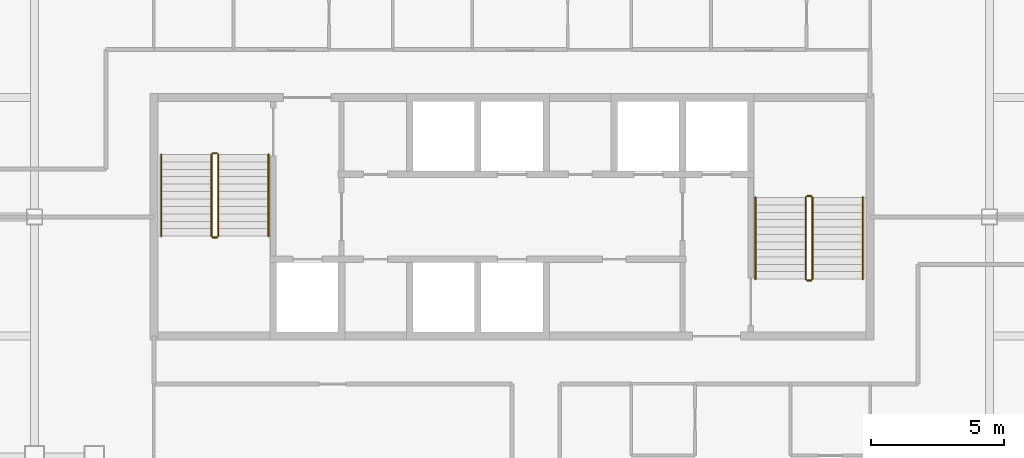
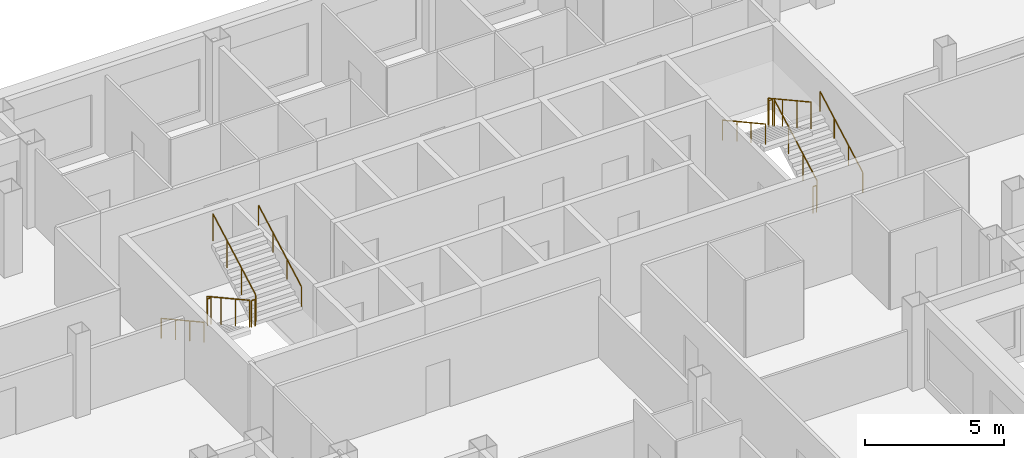
# One storey, part 13 of 13: 12 railings.
"""IFC4 building model written with IfcOpenShell, lengths in metres."""

from ifc_helpers import new_model, si_unit, direction, frame, origin, origin_2d, place, context, subcontext, project, spatial, circle, extrude, material, type_object, element, save


model = new_model("IFC4")

# Units and contexts
model_context = context("Model", 3, precision=1e-05, world=origin(), true_north=direction((0.0, 1.0)))
body_context = subcontext(model_context, "Body", "Model", "MODEL_VIEW")
ifc_project = project(units=[si_unit("LENGTHUNIT", "METRE"), si_unit("AREAUNIT", "SQUARE_METRE"), si_unit("VOLUMEUNIT", "CUBIC_METRE"), si_unit("PLANEANGLEUNIT", "RADIAN"), si_unit("MASSUNIT", "GRAM", prefix="KILO")], contexts=[model_context])

# Site, building, storey
site_placement = place(None, origin())
site = spatial("IfcSite", under=ifc_project, at=site_placement, CompositionType="ELEMENT")
building_placement = place(site_placement, origin())
building = spatial("IfcBuilding", under=site, at=building_placement, Name="Caravel Reach Hotel and Residences", CompositionType="ELEMENT")
storey_placement = place(building_placement, frame((0.0, 0.0, 169.10009765625)))
storey = spatial("IfcBuildingStorey", under=building, at=storey_placement, Name="L42", CompositionType="ELEMENT", Elevation=169.10009765625)

# Railings
ifc_material_1 = material(Name="Steel balustrade with glass infill", Category="steel")
railing_type_1 = type_object("IfcRailingType", Name="Guard 1200", PredefinedType="GUARDRAIL", material=ifc_material_1)
railing_1_placement = place(storey_placement, frame((20.175048828125, 29.35009765625, 0.154052734375)))
element("IfcRailing", 1, at=railing_1_placement, inside=storey, type_object=railing_type_1, Name="L42 ST-A stair guard 1", PredefinedType="GUARDRAIL", context=body_context, shape_type="SweptSolid", body=[
    extrude(circle(Radius=0.02392578125, at=origin_2d()), frame((0.0, 0.0, 1.17578125), z_axis=(0.0, -0.876004717809, 0.482302534076), x_axis=(1.0, 0.0, 0.0)), (0.0, 0.0, 1.0), 3.51611328125),
    extrude(circle(Radius=0.02099609375, at=origin_2d()), origin(), (0.0, 0.0, 1.0), 1.15185546875),
    extrude(circle(Radius=0.02099609375, at=origin_2d()), frame((0.0, -1.026611328125, 0.565185546875)), (0.0, 0.0, 1.0), 1.15185546875),
    extrude(circle(Radius=0.02099609375, at=origin_2d()), frame((0.0, -2.053466796875, 1.130615234375)), (0.0, 0.0, 1.0), 1.15185546875),
    extrude(circle(Radius=0.02099609375, at=origin_2d()), frame((0.0, -3.080078125, 1.69580078125)), (0.0, 0.0, 1.0), 1.15185546875),
])
railing_2_placement = place(storey_placement, frame((20.22509765625, 26.219970703125, 1.849853515625)))
element("IfcRailing", 2, at=railing_2_placement, inside=storey, type_object=railing_type_1, Name="L42 ST-A stair guard 2", PredefinedType="GUARDRAIL", context=body_context, shape_type="SweptSolid", body=[
    extrude(circle(Radius=0.02392578125, at=origin_2d()), frame((0.0, 0.0, 1.17578125), z_axis=(1.0, 0.0, 0.0), x_axis=(0.0, 1.0, 0.0)), (0.0, 0.0, 1.0), 0.14990234375),
    extrude(circle(Radius=0.02099609375, at=origin_2d()), origin(), (0.0, 0.0, 1.0), 1.15185546875),
    extrude(circle(Radius=0.02099609375, at=origin_2d()), frame((0.14990234375, 0.0, 0.0)), (0.0, 0.0, 1.0), 1.15185546875),
])
railing_3_placement = place(storey_placement, frame((20.425048828125, 26.27001953125, 2.004150390625)))
element("IfcRailing", 3, at=railing_3_placement, inside=storey, type_object=railing_type_1, Name="L42 ST-A stair guard 3", PredefinedType="GUARDRAIL", context=body_context, shape_type="SweptSolid", body=[
    extrude(circle(Radius=0.02392578125, at=origin_2d()), frame((0.0, 0.0, 1.17578125), z_axis=(0.0, 0.876004717809, 0.482302534076), x_axis=(-1.0, 0.0, 0.0)), (0.0, 0.0, 1.0), 3.51611328125),
    extrude(circle(Radius=0.02099609375, at=origin_2d()), origin(), (0.0, 0.0, 1.0), 1.15185546875),
    extrude(circle(Radius=0.02099609375, at=origin_2d()), frame((0.0, 1.026611328125, 0.565185546875)), (0.0, 0.0, 1.0), 1.15185546875),
    extrude(circle(Radius=0.02099609375, at=origin_2d()), frame((0.0, 2.053466796875, 1.130615234375)), (0.0, 0.0, 1.0), 1.15185546875),
    extrude(circle(Radius=0.02099609375, at=origin_2d()), frame((0.0, 3.080078125, 1.69580078125)), (0.0, 0.0, 1.0), 1.15185546875),
])
railing_4_placement = place(storey_placement, frame((20.22509765625, 29.39990234375, 0.0)))
element("IfcRailing", 4, at=railing_4_placement, inside=storey, type_object=railing_type_1, Name="L42 ST-A stair guard 4", PredefinedType="GUARDRAIL", context=body_context, shape_type="SweptSolid", body=[
    extrude(circle(Radius=0.02392578125, at=origin_2d()), frame((0.0, 0.0, 1.17578125), z_axis=(1.0, 0.0, 0.0), x_axis=(0.0, 1.0, 0.0)), (0.0, 0.0, 1.0), 0.14990234375),
    extrude(circle(Radius=0.02099609375, at=origin_2d()), origin(), (0.0, 0.0, 1.0), 1.15185546875),
    extrude(circle(Radius=0.02099609375, at=origin_2d()), frame((0.14990234375, 0.0, 0.0)), (0.0, 0.0, 1.0), 1.15185546875),
])
railing_5_placement = place(storey_placement, frame((42.824951171875, 24.64990234375, 0.154052734375)))
element("IfcRailing", 5, at=railing_5_placement, inside=storey, type_object=railing_type_1, Name="L42 ST-B stair guard 1", PredefinedType="GUARDRAIL", context=body_context, shape_type="SweptSolid", body=[
    extrude(circle(Radius=0.02392578125, at=origin_2d()), frame((0.0, 0.0, 1.17578125), z_axis=(0.0, 0.876004717809, 0.482302534076), x_axis=(-1.0, 0.0, 0.0)), (0.0, 0.0, 1.0), 3.51611328125),
    extrude(circle(Radius=0.02099609375, at=origin_2d()), origin(), (0.0, 0.0, 1.0), 1.15185546875),
    extrude(circle(Radius=0.02099609375, at=origin_2d()), frame((0.0, 1.026611328125, 0.565185546875)), (0.0, 0.0, 1.0), 1.15185546875),
    extrude(circle(Radius=0.02099609375, at=origin_2d()), frame((0.0, 2.053466796875, 1.130615234375)), (0.0, 0.0, 1.0), 1.15185546875),
    extrude(circle(Radius=0.02099609375, at=origin_2d()), frame((0.0, 3.080078125, 1.69580078125)), (0.0, 0.0, 1.0), 1.15185546875),
])
railing_6_placement = place(storey_placement, frame((42.77490234375, 27.780029296875, 1.849853515625)))
element("IfcRailing", 6, at=railing_6_placement, inside=storey, type_object=railing_type_1, Name="L42 ST-B stair guard 2", PredefinedType="GUARDRAIL", context=body_context, shape_type="SweptSolid", body=[
    extrude(circle(Radius=0.02392578125, at=origin_2d()), frame((0.0, 0.0, 1.17578125), z_axis=(-1.0, 0.0, 0.0), x_axis=(0.0, -1.0, 0.0)), (0.0, 0.0, 1.0), 0.14990234375),
    extrude(circle(Radius=0.02099609375, at=origin_2d()), origin(), (0.0, 0.0, 1.0), 1.15185546875),
    extrude(circle(Radius=0.02099609375, at=origin_2d()), frame((-0.14990234375, 0.0, 0.0)), (0.0, 0.0, 1.0), 1.15185546875),
])
railing_7_placement = place(storey_placement, frame((42.574951171875, 27.72998046875, 2.004150390625)))
element("IfcRailing", 7, at=railing_7_placement, inside=storey, type_object=railing_type_1, Name="L42 ST-B stair guard 3", PredefinedType="GUARDRAIL", context=body_context, shape_type="SweptSolid", body=[
    extrude(circle(Radius=0.02392578125, at=origin_2d()), frame((0.0, 0.0, 1.17578125), z_axis=(0.0, -0.876004717809, 0.482302534076), x_axis=(1.0, 0.0, 0.0)), (0.0, 0.0, 1.0), 3.51611328125),
    extrude(circle(Radius=0.02099609375, at=origin_2d()), origin(), (0.0, 0.0, 1.0), 1.15185546875),
    extrude(circle(Radius=0.02099609375, at=origin_2d()), frame((0.0, -1.026611328125, 0.565185546875)), (0.0, 0.0, 1.0), 1.15185546875),
    extrude(circle(Radius=0.02099609375, at=origin_2d()), frame((0.0, -2.053466796875, 1.130615234375)), (0.0, 0.0, 1.0), 1.15185546875),
    extrude(circle(Radius=0.02099609375, at=origin_2d()), frame((0.0, -3.080078125, 1.69580078125)), (0.0, 0.0, 1.0), 1.15185546875),
])
railing_8_placement = place(storey_placement, frame((42.77490234375, 24.60009765625, 0.0)))
element("IfcRailing", 8, at=railing_8_placement, inside=storey, type_object=railing_type_1, Name="L42 ST-B stair guard 4", PredefinedType="GUARDRAIL", context=body_context, shape_type="SweptSolid", body=[
    extrude(circle(Radius=0.02392578125, at=origin_2d()), frame((0.0, 0.0, 1.17578125), z_axis=(-1.0, 0.0, 0.0), x_axis=(0.0, -1.0, 0.0)), (0.0, 0.0, 1.0), 0.14990234375),
    extrude(circle(Radius=0.02099609375, at=origin_2d()), origin(), (0.0, 0.0, 1.0), 1.15185546875),
    extrude(circle(Radius=0.02099609375, at=origin_2d()), frame((-0.14990234375, 0.0, 0.0)), (0.0, 0.0, 1.0), 1.15185546875),
])
ifc_material_2 = material(Name="Stainless steel handrail", Category="steel")
railing_type_2 = type_object("IfcRailingType", Name="Handrail 900", PredefinedType="HANDRAIL", material=ifc_material_2)
railing_9_placement = place(storey_placement, frame((18.27490234375, 29.35009765625, 0.154052734375)))
element("IfcRailing", 9, at=railing_9_placement, inside=storey, type_object=railing_type_2, Name="L42 ST-A stair handrail 1", PredefinedType="HANDRAIL", context=body_context, shape_type="SweptSolid", body=[
    extrude(circle(Radius=0.02392578125, at=origin_2d()), frame((0.0, 0.0, 0.8759765625), z_axis=(0.0, -0.876004717809, 0.482302534076), x_axis=(1.0, 0.0, 0.0)), (0.0, 0.0, 1.0), 3.51611328125),
    extrude(circle(Radius=0.02099609375, at=origin_2d()), origin(), (0.0, 0.0, 1.0), 0.851806640625),
    extrude(circle(Radius=0.02099609375, at=origin_2d()), frame((0.0, -1.026611328125, 0.565185546875)), (0.0, 0.0, 1.0), 0.851806640625),
    extrude(circle(Radius=0.02099609375, at=origin_2d()), frame((0.0, -2.053466796875, 1.130615234375)), (0.0, 0.0, 1.0), 0.851806640625),
    extrude(circle(Radius=0.02099609375, at=origin_2d()), frame((0.0, -3.080078125, 1.69580078125)), (0.0, 0.0, 1.0), 0.851806640625),
])
for number, where, name in (
    (10, (22.324951171875, 26.27001953125, 2.004150390625), "L42 ST-A stair handrail 2"),
    (11, (44.72509765625, 24.64990234375, 0.154052734375), "L42 ST-B stair handrail 1"),
):
    element("IfcRailing", number, at=place(storey_placement, frame(where)), inside=storey, type_object=railing_type_2, Name=name, PredefinedType="HANDRAIL", context=body_context, shape_type="SweptSolid", body=[
        extrude(circle(Radius=0.02392578125, at=origin_2d()), frame((0.0, 0.0, 0.8759765625), z_axis=(0.0, 0.876004717809, 0.482302534076), x_axis=(-1.0, 0.0, 0.0)), (0.0, 0.0, 1.0), 3.51611328125),
        extrude(circle(Radius=0.02099609375, at=origin_2d()), origin(), (0.0, 0.0, 1.0), 0.851806640625),
        extrude(circle(Radius=0.02099609375, at=origin_2d()), frame((0.0, 1.026611328125, 0.565185546875)), (0.0, 0.0, 1.0), 0.851806640625),
        extrude(circle(Radius=0.02099609375, at=origin_2d()), frame((0.0, 2.053466796875, 1.130615234375)), (0.0, 0.0, 1.0), 0.851806640625),
        extrude(circle(Radius=0.02099609375, at=origin_2d()), frame((0.0, 3.080078125, 1.69580078125)), (0.0, 0.0, 1.0), 0.851806640625),
    ])
railing_10_placement = place(storey_placement, frame((40.675048828125, 27.72998046875, 2.004150390625)))
element("IfcRailing", 12, at=railing_10_placement, inside=storey, type_object=railing_type_2, Name="L42 ST-B stair handrail 2", PredefinedType="HANDRAIL", context=body_context, shape_type="SweptSolid", body=[
    extrude(circle(Radius=0.02392578125, at=origin_2d()), frame((0.0, 0.0, 0.8759765625), z_axis=(0.0, -0.876004717809, 0.482302534076), x_axis=(1.0, 0.0, 0.0)), (0.0, 0.0, 1.0), 3.51611328125),
    extrude(circle(Radius=0.02099609375, at=origin_2d()), origin(), (0.0, 0.0, 1.0), 0.851806640625),
    extrude(circle(Radius=0.02099609375, at=origin_2d()), frame((0.0, -1.026611328125, 0.565185546875)), (0.0, 0.0, 1.0), 0.851806640625),
    extrude(circle(Radius=0.02099609375, at=origin_2d()), frame((0.0, -2.053466796875, 1.130615234375)), (0.0, 0.0, 1.0), 0.851806640625),
    extrude(circle(Radius=0.02099609375, at=origin_2d()), frame((0.0, -3.080078125, 1.69580078125)), (0.0, 0.0, 1.0), 0.851806640625),
])

save(model, "model.ifc")
